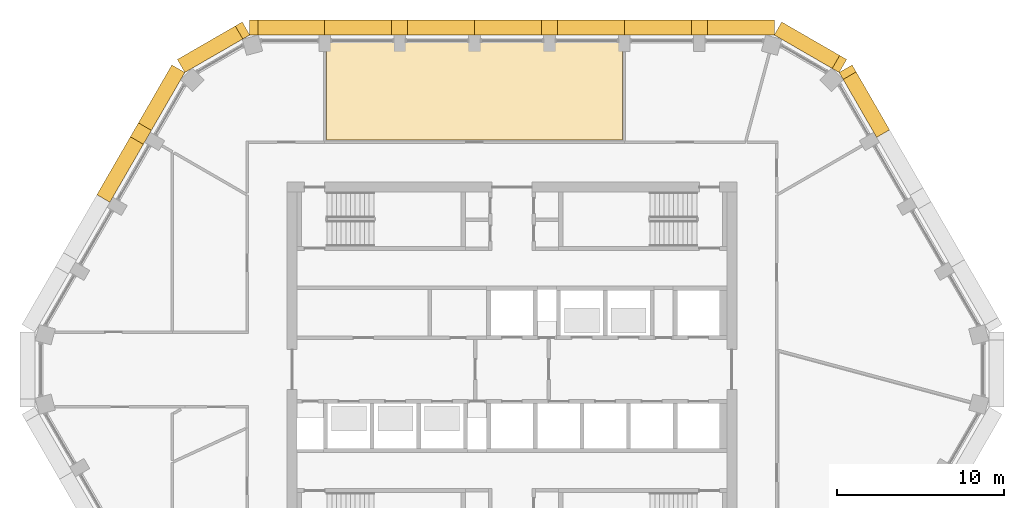
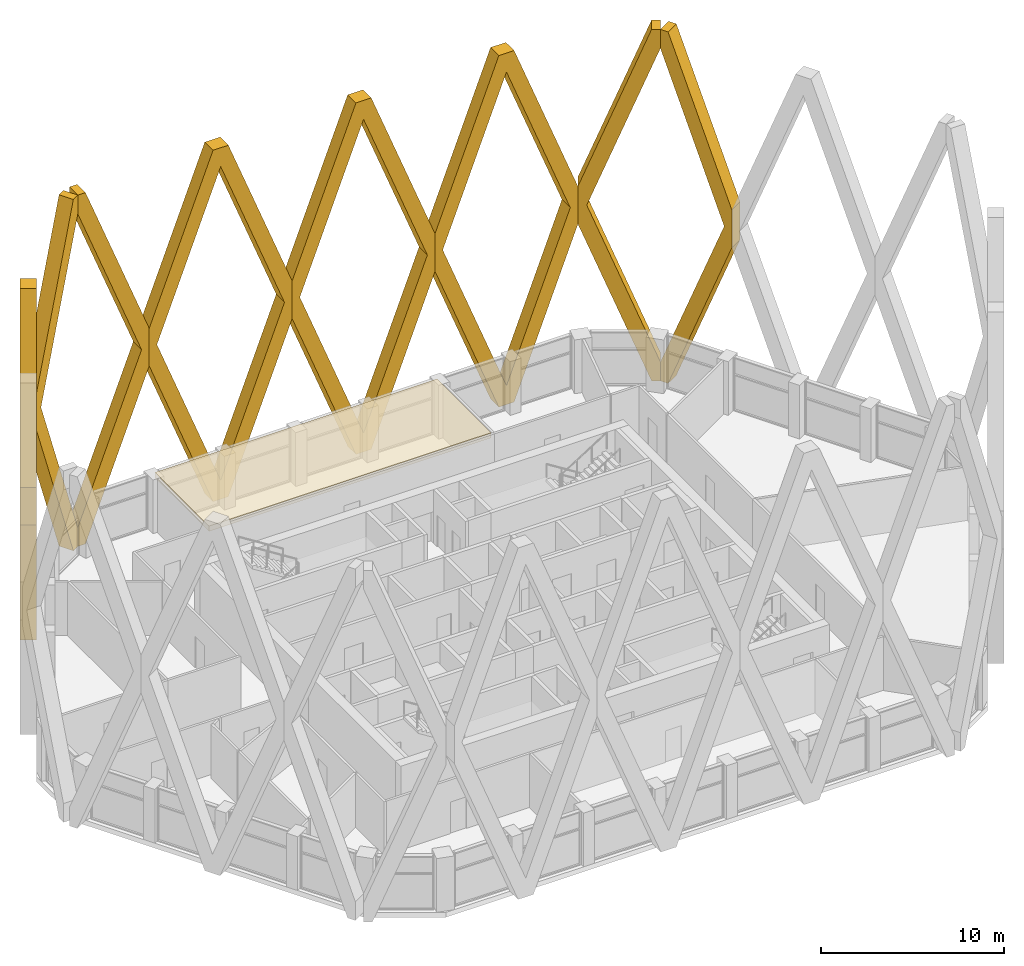
# One storey, part 19 of 20: 9 coverings.
"""IFC4 building model written with IfcOpenShell, lengths in metres."""

from ifc_helpers import new_model, si_unit, direction, frame, origin, place, context, subcontext, project, spatial, polyline, outline, extrude, material, layer, layer_set, type_object, element, save


model = new_model("IFC4")

# Units and contexts
model_context = context("Model", 3, precision=1e-05, world=origin(), true_north=direction((0.0, 1.0)))
body_context = subcontext(model_context, "Body", "Model", "MODEL_VIEW")
ifc_project = project(units=[si_unit("LENGTHUNIT", "METRE"), si_unit("AREAUNIT", "SQUARE_METRE"), si_unit("VOLUMEUNIT", "CUBIC_METRE"), si_unit("PLANEANGLEUNIT", "RADIAN"), si_unit("MASSUNIT", "GRAM", prefix="KILO")], contexts=[model_context])

# Site, building, storey
site_placement = place(None, origin())
site = spatial("IfcSite", under=ifc_project, at=site_placement, CompositionType="ELEMENT")
building_placement = place(site_placement, origin())
building = spatial("IfcBuilding", under=site, at=building_placement, Name="Dhurran Vertical Campus", CompositionType="ELEMENT")
storey_placement = place(building_placement, frame((0.0, 0.0, 235.199951171875)))
storey = spatial("IfcBuildingStorey", under=building, at=storey_placement, Name="L58", CompositionType="ELEMENT", Elevation=235.199951171875)

# Coverings
ifc_material_1 = material(Name="Precast concrete C50/60", Category="concrete")
covering_type_1 = type_object("IfcCoveringType", Name="Folded precast fin lattice diamond", PredefinedType="USERDEFINED", material=ifc_material_1)
covering_1_placement = place(storey_placement, frame((21.897216796875, 13.94140625, 0.0), z_axis=(0.866013897511, 0.50001992892, 0.0), x_axis=(-0.50001992892, 0.866013897511, 0.0)))
element("IfcCovering", 1, at=covering_1_placement, inside=storey, type_object=covering_type_1, Name="FN1 L58.011", ObjectType="FIN", PredefinedType="USERDEFINED", context=body_context, shape_type="SweptSolid", body=[
    extrude(outline(polyline([(4.017822265625, 0.0), (0.0, 10.4462890625), (0.0, 12.95361328125), (4.017822265625, 23.39990234375), (4.5, 23.39990234375), (4.5, 22.146484375), (0.482177734375, 11.699951171875), (4.5, 1.253662109375), (4.5, 0.0), (4.017822265625, 0.0)])), origin(), (0.0, 0.0, 1.0), 0.89990234375),
])
covering_2_placement = place(storey_placement, frame((19.647216796875, 17.83837890625, 0.0), z_axis=(0.499902469156, 0.866081705922, 0.0), x_axis=(-0.866081705922, 0.499902469156, 0.0)))
element("IfcCovering", 2, at=covering_2_placement, inside=storey, type_object=covering_type_1, Name="FN1 L58.012", ObjectType="FIN", PredefinedType="USERDEFINED", context=body_context, shape_type="SweptSolid", body=[
    extrude(outline(polyline([(4.5, 10.4462890625), (0.482177734375, 0.0), (0.0, 0.0), (0.0, 1.253662109375), (4.017822265625, 11.699951171875), (0.0, 22.146484375), (0.0, 23.39990234375), (0.482177734375, 23.39990234375), (4.5, 12.95361328125), (4.5, 10.4462890625)])), origin(), (0.0, 0.0, 1.0), 0.900146484375),
])
for number, where, z_axis, x_axis, name in (
    (3, (15.75, 20.08837890625, 0.0), (0.0, 1.0, 0.0), (-1.0, 0.0, 0.0), "FN1 L58.013"),
    (4, (6.75, 20.08837890625, 0.0), (0.0, 1.0, 0.0), (-1.0, 0.0, 0.0), "FN1 L58.014"),
    (5, (-2.25, 20.08837890625, 0.0), (0.0, 1.0, 0.0), (-1.0, 0.0, 0.0), "FN1 L58.015"),
):
    element("IfcCovering", number, at=place(storey_placement, frame(where, z_axis=z_axis, x_axis=x_axis)), inside=storey, type_object=covering_type_1, Name=name, ObjectType="FIN", PredefinedType="USERDEFINED", context=body_context, shape_type="SweptSolid", body=[
        extrude(outline(polyline([(9.0, 12.95361328125), (9.0, 10.4462890625), (4.982177734375, 0.0), (4.017822265625, 0.0), (0.0, 10.4462890625), (0.0, 12.95361328125), (4.017822265625, 23.39990234375), (4.982177734375, 23.39990234375), (9.0, 12.95361328125)]), holes=[polyline([(8.517822265625, 11.699951171875), (4.5, 22.146484375), (0.482177734375, 11.699951171875), (4.5, 1.253662109375), (8.517822265625, 11.699951171875)])]), origin(), (0.0, 0.0, 1.0), 0.900146484375),
    ])
covering_3_placement = place(storey_placement, frame((-11.25, 20.08837890625, 0.0), z_axis=(0.0, 1.0, 0.0), x_axis=(-1.0, 0.0, 0.0)))
element("IfcCovering", 6, at=covering_3_placement, inside=storey, type_object=covering_type_1, Name="FN1 L58.016", ObjectType="FIN", PredefinedType="USERDEFINED", context=body_context, shape_type="SweptSolid", body=[
    extrude(outline(polyline([(4.017822265625, 0.0), (0.0, 10.4462890625), (0.0, 12.95361328125), (4.017822265625, 23.39990234375), (4.5, 23.39990234375), (4.5, 22.146484375), (0.482177734375, 11.699951171875), (4.5, 1.253662109375), (4.5, 0.0), (4.017822265625, 0.0)])), origin(), (0.0, 0.0, 1.0), 0.900146484375),
])
covering_4_placement = place(storey_placement, frame((-15.75, 20.08837890625, 0.0), z_axis=(-0.499902469156, 0.866081705922, 0.0), x_axis=(-0.866081705922, -0.499902469156, 0.0)))
element("IfcCovering", 7, at=covering_4_placement, inside=storey, type_object=covering_type_1, Name="FN1 L58.017", ObjectType="FIN", PredefinedType="USERDEFINED", context=body_context, shape_type="SweptSolid", body=[
    extrude(outline(polyline([(4.5, 10.4462890625), (0.482177734375, 0.0), (0.0, 0.0), (0.0, 1.253662109375), (4.017822265625, 11.699951171875), (0.0, 22.146484375), (0.0, 23.39990234375), (0.482177734375, 23.39990234375), (4.5, 12.95361328125), (4.5, 10.4462890625)])), origin(), (0.0, 0.0, 1.0), 0.900146484375),
])
covering_5_placement = place(storey_placement, frame((-19.647216796875, 17.83837890625, 0.0), z_axis=(-0.865896406789, 0.500223362819, 0.0), x_axis=(-0.500223362819, -0.865896406789, 0.0)))
element("IfcCovering", 8, at=covering_5_placement, inside=storey, type_object=covering_type_1, Name="FN1 L58.018", ObjectType="FIN", PredefinedType="USERDEFINED", context=body_context, shape_type="SweptSolid", body=[
    extrude(outline(polyline([(9.0, 12.95361328125), (9.0, 10.4462890625), (4.982177734375, 0.0), (4.017822265625, 0.0), (0.0, 10.4462890625), (0.0, 12.95361328125), (4.017822265625, 23.39990234375), (4.982177734375, 23.39990234375), (9.0, 12.95361328125)]), holes=[polyline([(8.517822265625, 11.699951171875), (4.5, 22.146484375), (0.482177734375, 11.699951171875), (4.5, 1.253662109375), (8.517822265625, 11.699951171875)])]), origin(), (0.0, 0.0, 1.0), 0.89990234375),
])
ifc_material_2 = material(Name="Mineral fibre ceiling tiles on suspended grid")
ifc_layer = layer(ifc_material_2, 0.35009765625)
ifc_layer_set = layer_set([ifc_layer], Name="Mineral fibre ceiling tiles on suspended grid")
covering_type_2 = type_object("IfcCoveringType", Name="fl-CE-350 suspended ceiling", PredefinedType="CEILING", material=ifc_layer_set)
covering_6_placement = place(storey_placement, frame((0.0, 0.0, 3.22509765625)))
element("IfcCovering", 9, at=covering_6_placement, inside=storey, type_object=covering_type_2, Name="Ceiling 58-09", PredefinedType="CEILING", context=body_context, shape_type="SweptSolid", body=[
    extrude(outline(polyline([(-11.1298828125, 19.66796875), (6.6298828125, 19.66796875), (6.6298828125, 13.77001953125), (-11.1298828125, 13.77001953125), (-11.1298828125, 19.66796875)])), origin(), (0.0, 0.0, 1.0), 0.349853515625),
])

save(model, "model.ifc")
